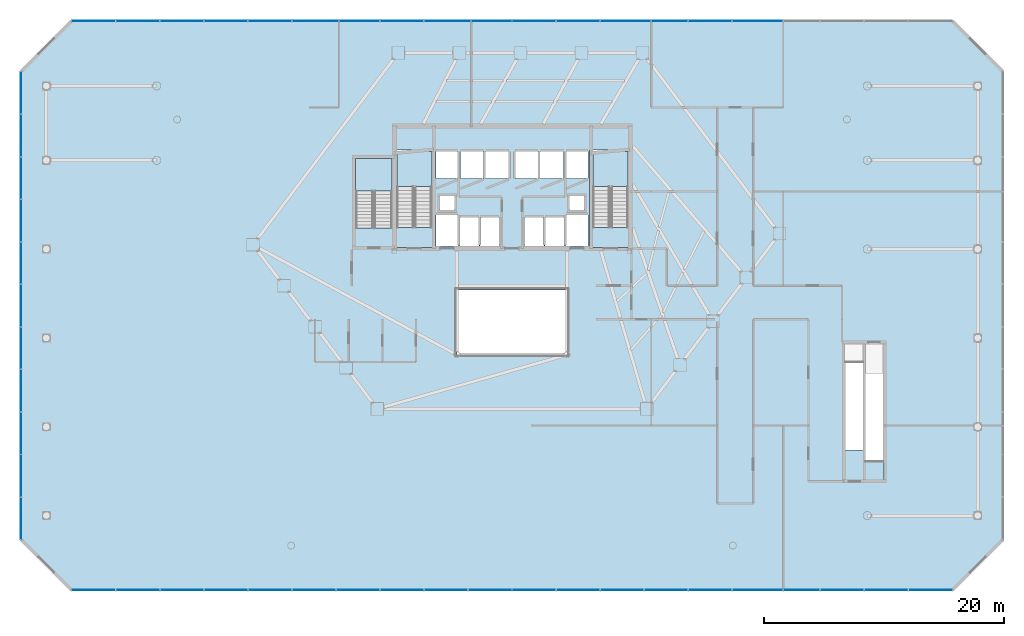
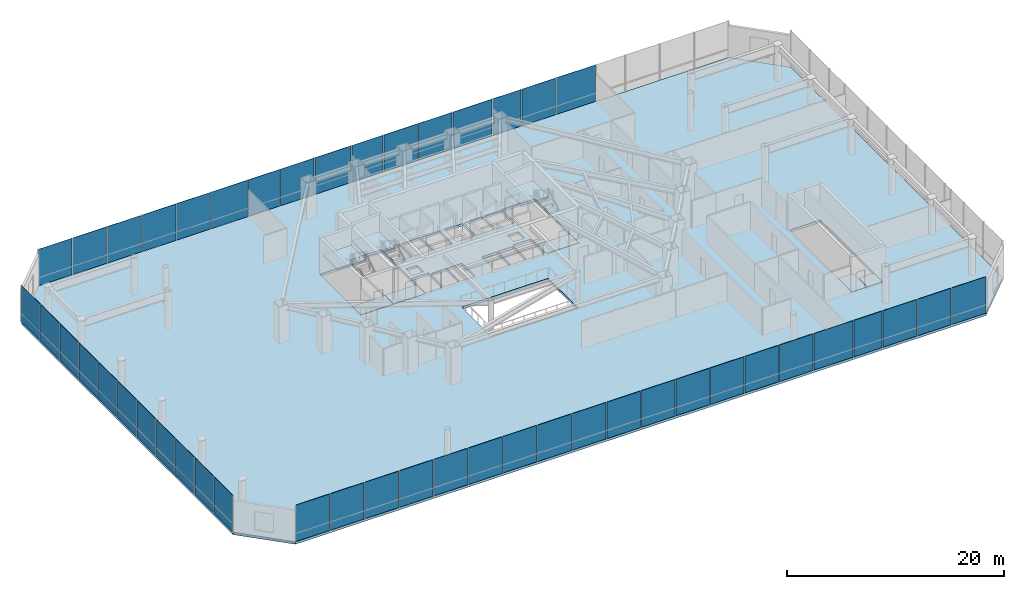
# One storey, part 36 of 43: 47 plates, 9 slabs, 6 elements without a shape of their own.
"""IFC4 building model written with IfcOpenShell, lengths in metres."""

from ifc_helpers import new_model, si_unit, direction, frame, origin, origin_2d, place, context, subcontext, project, spatial, polyline, rectangle, outline, extrude, material, layer, layer_set, type_object, element, aggregate, save


model = new_model("IFC4")

# Units and contexts
model_context = context("Model", 3, precision=1e-05, world=origin(), true_north=direction((0.0, 1.0)))
body_context = subcontext(model_context, "Body", "Model", "MODEL_VIEW")
ifc_project = project(units=[si_unit("LENGTHUNIT", "METRE"), si_unit("AREAUNIT", "SQUARE_METRE"), si_unit("VOLUMEUNIT", "CUBIC_METRE"), si_unit("PLANEANGLEUNIT", "RADIAN"), si_unit("MASSUNIT", "GRAM", prefix="KILO")], contexts=[model_context])

# Site, building, storey
site_placement = place(None, origin())
site = spatial("IfcSite", under=ifc_project, at=site_placement, CompositionType="ELEMENT")
building_placement = place(site_placement, origin())
building = spatial("IfcBuilding", under=site, at=building_placement, Name="Zarrinselat Tower", CompositionType="ELEMENT")
storey_placement = place(building_placement, frame((0.0, 0.0, 5.10009765625)))
storey = spatial("IfcBuildingStorey", under=building, at=storey_placement, Name="L01", CompositionType="ELEMENT", Elevation=5.10009765625)

# Curtain wall, plates
ifc_material_1 = material(Name="Extruded Aluminium Alloy EN AW-6063 T6", Category="aluminium")
ifc_layer_1 = layer(ifc_material_1, 0.2099609375)
ifc_layer_set_1 = layer_set([ifc_layer_1], Name="Extruded Aluminium Alloy EN AW-6063 T6")
curtain_wall_type = type_object("IfcCurtainWallType", Name="CWS-POD", PredefinedType="NOTDEFINED", material=ifc_layer_set_1)
curtain_wall_1_placement = place(storey_placement, origin())
curtain_wall_1 = element("IfcCurtainWall", 1, at=curtain_wall_1_placement, inside=storey, type_object=curtain_wall_type, Name="L01 Unitised Curtain Wall CW-L01-F1", PredefinedType="NOTDEFINED")
ifc_material_2 = material(Name="Double Low-E Laminated Solar Glass", Category="glass")
ifc_layer_2 = layer(ifc_material_2, 0.035888671875)
ifc_layer_set_2 = layer_set([ifc_layer_2], Name="Double Low-E Laminated Solar Glass")
plate_type = type_object("IfcPlateType", Name="PLT-CW-GL36", PredefinedType="CURTAIN_PANEL", material=ifc_layer_set_2)
plate_1_placement = place(storey_placement, frame((3.534912109375, 4.800048828125, 0.019775390625), z_axis=(0.0, 0.0, 1.0), x_axis=(1.0, 0.0, 0.0)))
plate_1 = element("IfcPlate", 2, at=plate_1_placement, type_object=plate_type, Name="CW-L01-F1 Vision Glass Panel 1", PredefinedType="CURTAIN_PANEL", context=body_context, shape_type="SweptSolid", body=[
    extrude(rectangle(XDim=3.570068359375, YDim=0.035888671875, at=origin_2d()), origin(), (0.0, 0.0, 1.0), 4.10009765625),
])
plate_2_placement = place(storey_placement, frame((7.205078125, 4.800048828125, 0.019775390625), z_axis=(0.0, 0.0, 1.0), x_axis=(1.0, 0.0, 0.0)))
plate_2 = element("IfcPlate", 3, at=plate_2_placement, type_object=plate_type, Name="CW-L01-F1 Vision Glass Panel 2", PredefinedType="CURTAIN_PANEL", context=body_context, shape_type="SweptSolid", body=[
    extrude(rectangle(XDim=3.570068359375, YDim=0.035888671875, at=origin_2d()), origin(), (0.0, 0.0, 1.0), 4.10009765625),
])
plate_3_placement = place(storey_placement, frame((10.875, 4.800048828125, 0.019775390625), z_axis=(0.0, 0.0, 1.0), x_axis=(1.0, 0.0, 0.0)))
plate_3 = element("IfcPlate", 4, at=plate_3_placement, type_object=plate_type, Name="CW-L01-F1 Vision Glass Panel 3", PredefinedType="CURTAIN_PANEL", context=body_context, shape_type="SweptSolid", body=[
    extrude(rectangle(XDim=3.570068359375, YDim=0.035888671875, at=origin_2d()), origin(), (0.0, 0.0, 1.0), 4.10009765625),
])
plate_4_placement = place(storey_placement, frame((14.544921875, 4.800048828125, 0.019775390625), z_axis=(0.0, 0.0, 1.0), x_axis=(1.0, 0.0, 0.0)))
plate_4 = element("IfcPlate", 5, at=plate_4_placement, type_object=plate_type, Name="CW-L01-F1 Vision Glass Panel 4", PredefinedType="CURTAIN_PANEL", context=body_context, shape_type="SweptSolid", body=[
    extrude(rectangle(XDim=3.570068359375, YDim=0.035888671875, at=origin_2d()), origin(), (0.0, 0.0, 1.0), 4.10009765625),
])
plate_5_placement = place(storey_placement, frame((18.215087890625, 4.800048828125, 0.019775390625), z_axis=(0.0, 0.0, 1.0), x_axis=(1.0, 0.0, 0.0)))
plate_5 = element("IfcPlate", 6, at=plate_5_placement, type_object=plate_type, Name="CW-L01-F1 Vision Glass Panel 5", PredefinedType="CURTAIN_PANEL", context=body_context, shape_type="SweptSolid", body=[
    extrude(rectangle(XDim=3.570068359375, YDim=0.035888671875, at=origin_2d()), origin(), (0.0, 0.0, 1.0), 4.10009765625),
])
plate_6_placement = place(storey_placement, frame((21.885009765625, 4.800048828125, 0.019775390625), z_axis=(0.0, 0.0, 1.0), x_axis=(1.0, 0.0, 0.0)))
plate_6 = element("IfcPlate", 7, at=plate_6_placement, type_object=plate_type, Name="CW-L01-F1 Vision Glass Panel 6", PredefinedType="CURTAIN_PANEL", context=body_context, shape_type="SweptSolid", body=[
    extrude(rectangle(XDim=3.570068359375, YDim=0.035888671875, at=origin_2d()), origin(), (0.0, 0.0, 1.0), 4.10009765625),
])
plate_7_placement = place(storey_placement, frame((25.554931640625, 4.800048828125, 0.019775390625), z_axis=(0.0, 0.0, 1.0), x_axis=(1.0, 0.0, 0.0)))
plate_7 = element("IfcPlate", 8, at=plate_7_placement, type_object=plate_type, Name="CW-L01-F1 Vision Glass Panel 7", PredefinedType="CURTAIN_PANEL", context=body_context, shape_type="SweptSolid", body=[
    extrude(rectangle(XDim=3.570068359375, YDim=0.035888671875, at=origin_2d()), origin(), (0.0, 0.0, 1.0), 4.10009765625),
])
plate_8_placement = place(storey_placement, frame((29.22509765625, 4.800048828125, 0.019775390625), z_axis=(0.0, 0.0, 1.0), x_axis=(1.0, 0.0, 0.0)))
plate_8 = element("IfcPlate", 9, at=plate_8_placement, type_object=plate_type, Name="CW-L01-F1 Vision Glass Panel 8", PredefinedType="CURTAIN_PANEL", context=body_context, shape_type="SweptSolid", body=[
    extrude(rectangle(XDim=3.570068359375, YDim=0.035888671875, at=origin_2d()), origin(), (0.0, 0.0, 1.0), 4.10009765625),
])
plate_9_placement = place(storey_placement, frame((32.89501953125, 4.800048828125, 0.019775390625), z_axis=(0.0, 0.0, 1.0), x_axis=(1.0, 0.0, 0.0)))
plate_9 = element("IfcPlate", 10, at=plate_9_placement, type_object=plate_type, Name="CW-L01-F1 Vision Glass Panel 9", PredefinedType="CURTAIN_PANEL", context=body_context, shape_type="SweptSolid", body=[
    extrude(rectangle(XDim=3.570068359375, YDim=0.035888671875, at=origin_2d()), origin(), (0.0, 0.0, 1.0), 4.10009765625),
])
plate_10_placement = place(storey_placement, frame((36.56494140625, 4.800048828125, 0.019775390625), z_axis=(0.0, 0.0, 1.0), x_axis=(1.0, 0.0, 0.0)))
plate_10 = element("IfcPlate", 11, at=plate_10_placement, type_object=plate_type, Name="CW-L01-F1 Vision Glass Panel 10", PredefinedType="CURTAIN_PANEL", context=body_context, shape_type="SweptSolid", body=[
    extrude(rectangle(XDim=3.570068359375, YDim=0.035888671875, at=origin_2d()), origin(), (0.0, 0.0, 1.0), 4.10009765625),
])
plate_11_placement = place(storey_placement, frame((40.235107421875, 4.800048828125, 0.019775390625), z_axis=(0.0, 0.0, 1.0), x_axis=(1.0, 0.0, 0.0)))
plate_11 = element("IfcPlate", 12, at=plate_11_placement, type_object=plate_type, Name="CW-L01-F1 Vision Glass Panel 11", PredefinedType="CURTAIN_PANEL", context=body_context, shape_type="SweptSolid", body=[
    extrude(rectangle(XDim=3.570068359375, YDim=0.035888671875, at=origin_2d()), origin(), (0.0, 0.0, 1.0), 4.10009765625),
])
plate_12_placement = place(storey_placement, frame((43.905029296875, 4.800048828125, 0.019775390625), z_axis=(0.0, 0.0, 1.0), x_axis=(1.0, 0.0, 0.0)))
plate_12 = element("IfcPlate", 13, at=plate_12_placement, type_object=plate_type, Name="CW-L01-F1 Vision Glass Panel 12", PredefinedType="CURTAIN_PANEL", context=body_context, shape_type="SweptSolid", body=[
    extrude(rectangle(XDim=3.570068359375, YDim=0.035888671875, at=origin_2d()), origin(), (0.0, 0.0, 1.0), 4.10009765625),
])
plate_13_placement = place(storey_placement, frame((47.574951171875, 4.800048828125, 0.019775390625), z_axis=(0.0, 0.0, 1.0), x_axis=(1.0, 0.0, 0.0)))
plate_13 = element("IfcPlate", 14, at=plate_13_placement, type_object=plate_type, Name="CW-L01-F1 Vision Glass Panel 13", PredefinedType="CURTAIN_PANEL", context=body_context, shape_type="SweptSolid", body=[
    extrude(rectangle(XDim=3.570068359375, YDim=0.035888671875, at=origin_2d()), origin(), (0.0, 0.0, 1.0), 4.10009765625),
])
plate_14_placement = place(storey_placement, frame((51.2451171875, 4.800048828125, 0.019775390625), z_axis=(0.0, 0.0, 1.0), x_axis=(1.0, 0.0, 0.0)))
plate_14 = element("IfcPlate", 15, at=plate_14_placement, type_object=plate_type, Name="CW-L01-F1 Vision Glass Panel 14", PredefinedType="CURTAIN_PANEL", context=body_context, shape_type="SweptSolid", body=[
    extrude(rectangle(XDim=3.570068359375, YDim=0.035888671875, at=origin_2d()), origin(), (0.0, 0.0, 1.0), 4.10009765625),
])
plate_15_placement = place(storey_placement, frame((54.9150390625, 4.800048828125, 0.019775390625), z_axis=(0.0, 0.0, 1.0), x_axis=(1.0, 0.0, 0.0)))
plate_15 = element("IfcPlate", 16, at=plate_15_placement, type_object=plate_type, Name="CW-L01-F1 Vision Glass Panel 15", PredefinedType="CURTAIN_PANEL", context=body_context, shape_type="SweptSolid", body=[
    extrude(rectangle(XDim=3.570068359375, YDim=0.035888671875, at=origin_2d()), origin(), (0.0, 0.0, 1.0), 4.10009765625),
])
plate_16_placement = place(storey_placement, frame((58.875, 4.800048828125, 0.019775390625), z_axis=(0.0, 0.0, 1.0), x_axis=(1.0, 0.0, 0.0)))
plate_16 = element("IfcPlate", 17, at=plate_16_placement, type_object=plate_type, Name="CW-L01-F1 Vision Glass Panel 16", PredefinedType="CURTAIN_PANEL", context=body_context, shape_type="SweptSolid", body=[
    extrude(rectangle(XDim=4.14990234375, YDim=0.035888671875, at=origin_2d()), origin(), (0.0, 0.0, 1.0), 4.10009765625),
])
plate_17_placement = place(storey_placement, frame((62.544921875, 4.800048828125, 0.019775390625), z_axis=(0.0, 0.0, 1.0), x_axis=(1.0, 0.0, 0.0)))
plate_17 = element("IfcPlate", 18, at=plate_17_placement, type_object=plate_type, Name="CW-L01-F1 Vision Glass Panel 17", PredefinedType="CURTAIN_PANEL", context=body_context, shape_type="SweptSolid", body=[
    extrude(rectangle(XDim=2.989990234375, YDim=0.035888671875, at=origin_2d()), origin(), (0.0, 0.0, 1.0), 4.10009765625),
])
plate_18_placement = place(storey_placement, frame((65.925048828125, 4.800048828125, 0.019775390625), z_axis=(0.0, 0.0, 1.0), x_axis=(1.0, 0.0, 0.0)))
plate_18 = element("IfcPlate", 19, at=plate_18_placement, type_object=plate_type, Name="CW-L01-F1 Vision Glass Panel 18", PredefinedType="CURTAIN_PANEL", context=body_context, shape_type="SweptSolid", body=[
    extrude(rectangle(XDim=3.570068359375, YDim=0.035888671875, at=origin_2d()), origin(), (0.0, 0.0, 1.0), 4.10009765625),
])
plate_19_placement = place(storey_placement, frame((69.594970703125, 4.800048828125, 0.019775390625), z_axis=(0.0, 0.0, 1.0), x_axis=(1.0, 0.0, 0.0)))
plate_19 = element("IfcPlate", 20, at=plate_19_placement, type_object=plate_type, Name="CW-L01-F1 Vision Glass Panel 19", PredefinedType="CURTAIN_PANEL", context=body_context, shape_type="SweptSolid", body=[
    extrude(rectangle(XDim=3.570068359375, YDim=0.035888671875, at=origin_2d()), origin(), (0.0, 0.0, 1.0), 4.10009765625),
])
plate_20_placement = place(storey_placement, frame((73.264892578125, 4.800048828125, 0.019775390625), z_axis=(0.0, 0.0, 1.0), x_axis=(1.0, 0.0, 0.0)))
plate_20 = element("IfcPlate", 21, at=plate_20_placement, type_object=plate_type, Name="CW-L01-F1 Vision Glass Panel 20", PredefinedType="CURTAIN_PANEL", context=body_context, shape_type="SweptSolid", body=[
    extrude(rectangle(XDim=3.570068359375, YDim=0.035888671875, at=origin_2d()), origin(), (0.0, 0.0, 1.0), 4.10009765625),
])
aggregate(curtain_wall_1, [plate_1, plate_2, plate_3, plate_4, plate_5, plate_6, plate_7, plate_8, plate_9, plate_10, plate_11, plate_12, plate_13, plate_14, plate_15, plate_16, plate_17, plate_18, plate_19, plate_20])

curtain_wall_2_placement = place(storey_placement, origin())
curtain_wall_2 = element("IfcCurtainWall", 22, at=curtain_wall_2_placement, inside=storey, type_object=curtain_wall_type, Name="L01 Unitised Curtain Wall CW-L01-F5", PredefinedType="NOTDEFINED")
plate_21_placement = place(storey_placement, frame((58.875, 52.199951171875, 0.019775390625), z_axis=(0.0, 0.0, 1.0), x_axis=(-1.0, 0.0, 0.0)))
plate_21 = element("IfcPlate", 23, at=plate_21_placement, type_object=plate_type, Name="CW-L01-F5 Vision Glass Panel 5", PredefinedType="CURTAIN_PANEL", context=body_context, shape_type="SweptSolid", body=[
    extrude(rectangle(XDim=4.14990234375, YDim=0.035888671875, at=origin_2d()), origin(), (0.0, 0.0, 1.0), 4.10009765625),
])
plate_22_placement = place(storey_placement, frame((54.9150390625, 52.199951171875, 0.019775390625), z_axis=(0.0, 0.0, 1.0), x_axis=(-1.0, 0.0, 0.0)))
plate_22 = element("IfcPlate", 24, at=plate_22_placement, type_object=plate_type, Name="CW-L01-F5 Vision Glass Panel 6", PredefinedType="CURTAIN_PANEL", context=body_context, shape_type="SweptSolid", body=[
    extrude(rectangle(XDim=3.570068359375, YDim=0.035888671875, at=origin_2d()), origin(), (0.0, 0.0, 1.0), 4.10009765625),
])
plate_23_placement = place(storey_placement, frame((51.5400390625, 52.199951171875, 0.019775390625), z_axis=(0.0, 0.0, 1.0), x_axis=(-1.0, 0.0, 0.0)))
plate_23 = element("IfcPlate", 25, at=plate_23_placement, type_object=plate_type, Name="CW-L01-F5 Vision Glass Panel 7", PredefinedType="CURTAIN_PANEL", context=body_context, shape_type="SweptSolid", body=[
    extrude(rectangle(XDim=2.97998046875, YDim=0.035888671875, at=origin_2d()), origin(), (0.0, 0.0, 1.0), 4.10009765625),
])
plate_24_placement = place(storey_placement, frame((47.8701171875, 52.199951171875, 0.019775390625), z_axis=(0.0, 0.0, 1.0), x_axis=(-1.0, 0.0, 0.0)))
plate_24 = element("IfcPlate", 26, at=plate_24_placement, type_object=plate_type, Name="CW-L01-F5 Vision Glass Panel 8", PredefinedType="CURTAIN_PANEL", context=body_context, shape_type="SweptSolid", body=[
    extrude(rectangle(XDim=4.159912109375, YDim=0.035888671875, at=origin_2d()), origin(), (0.0, 0.0, 1.0), 4.10009765625),
])
plate_25_placement = place(storey_placement, frame((43.905029296875, 52.199951171875, 0.019775390625), z_axis=(0.0, 0.0, 1.0), x_axis=(-1.0, 0.0, 0.0)))
plate_25 = element("IfcPlate", 27, at=plate_25_placement, type_object=plate_type, Name="CW-L01-F5 Vision Glass Panel 9", PredefinedType="CURTAIN_PANEL", context=body_context, shape_type="SweptSolid", body=[
    extrude(rectangle(XDim=3.570068359375, YDim=0.035888671875, at=origin_2d()), origin(), (0.0, 0.0, 1.0), 4.10009765625),
])
plate_26_placement = place(storey_placement, frame((40.235107421875, 52.199951171875, 0.019775390625), z_axis=(0.0, 0.0, 1.0), x_axis=(-1.0, 0.0, 0.0)))
plate_26 = element("IfcPlate", 28, at=plate_26_placement, type_object=plate_type, Name="CW-L01-F5 Vision Glass Panel 10", PredefinedType="CURTAIN_PANEL", context=body_context, shape_type="SweptSolid", body=[
    extrude(rectangle(XDim=3.570068359375, YDim=0.035888671875, at=origin_2d()), origin(), (0.0, 0.0, 1.0), 4.10009765625),
])
plate_27_placement = place(storey_placement, frame((36.699951171875, 52.199951171875, 0.019775390625), z_axis=(0.0, 0.0, 1.0), x_axis=(-1.0, 0.0, 0.0)))
plate_27 = element("IfcPlate", 29, at=plate_27_placement, type_object=plate_type, Name="CW-L01-F5 Vision Glass Panel 11", PredefinedType="CURTAIN_PANEL", context=body_context, shape_type="SweptSolid", body=[
    extrude(rectangle(XDim=3.300048828125, YDim=0.035888671875, at=origin_2d()), origin(), (0.0, 0.0, 1.0), 4.10009765625),
])
plate_28_placement = place(storey_placement, frame((33.030029296875, 52.199951171875, 0.019775390625), z_axis=(0.0, 0.0, 1.0), x_axis=(-1.0, 0.0, 0.0)))
plate_28 = element("IfcPlate", 30, at=plate_28_placement, type_object=plate_type, Name="CW-L01-F5 Vision Glass Panel 12", PredefinedType="CURTAIN_PANEL", context=body_context, shape_type="SweptSolid", body=[
    extrude(rectangle(XDim=3.840087890625, YDim=0.035888671875, at=origin_2d()), origin(), (0.0, 0.0, 1.0), 4.10009765625),
])
plate_29_placement = place(storey_placement, frame((29.22509765625, 52.199951171875, 0.019775390625), z_axis=(0.0, 0.0, 1.0), x_axis=(-1.0, 0.0, 0.0)))
plate_29 = element("IfcPlate", 31, at=plate_29_placement, type_object=plate_type, Name="CW-L01-F5 Vision Glass Panel 13", PredefinedType="CURTAIN_PANEL", context=body_context, shape_type="SweptSolid", body=[
    extrude(rectangle(XDim=3.570068359375, YDim=0.035888671875, at=origin_2d()), origin(), (0.0, 0.0, 1.0), 4.10009765625),
])
plate_30_placement = place(storey_placement, frame((25.695068359375, 52.199951171875, 0.019775390625), z_axis=(0.0, 0.0, 1.0), x_axis=(-1.0, 0.0, 0.0)))
plate_30 = element("IfcPlate", 32, at=plate_30_placement, type_object=plate_type, Name="CW-L01-F5 Vision Glass Panel 14", PredefinedType="CURTAIN_PANEL", context=body_context, shape_type="SweptSolid", body=[
    extrude(rectangle(XDim=3.2900390625, YDim=0.035888671875, at=origin_2d()), origin(), (0.0, 0.0, 1.0), 4.10009765625),
])
plate_31_placement = place(storey_placement, frame((22.02490234375, 52.199951171875, 0.019775390625), z_axis=(0.0, 0.0, 1.0), x_axis=(-1.0, 0.0, 0.0)))
plate_31 = element("IfcPlate", 33, at=plate_31_placement, type_object=plate_type, Name="CW-L01-F5 Vision Glass Panel 15", PredefinedType="CURTAIN_PANEL", context=body_context, shape_type="SweptSolid", body=[
    extrude(rectangle(XDim=3.85009765625, YDim=0.035888671875, at=origin_2d()), origin(), (0.0, 0.0, 1.0), 4.10009765625),
])
plate_32_placement = place(storey_placement, frame((18.215087890625, 52.199951171875, 0.019775390625), z_axis=(0.0, 0.0, 1.0), x_axis=(-1.0, 0.0, 0.0)))
plate_32 = element("IfcPlate", 34, at=plate_32_placement, type_object=plate_type, Name="CW-L01-F5 Vision Glass Panel 16", PredefinedType="CURTAIN_PANEL", context=body_context, shape_type="SweptSolid", body=[
    extrude(rectangle(XDim=3.570068359375, YDim=0.035888671875, at=origin_2d()), origin(), (0.0, 0.0, 1.0), 4.10009765625),
])
plate_33_placement = place(storey_placement, frame((14.544921875, 52.199951171875, 0.019775390625), z_axis=(0.0, 0.0, 1.0), x_axis=(-1.0, 0.0, 0.0)))
plate_33 = element("IfcPlate", 35, at=plate_33_placement, type_object=plate_type, Name="CW-L01-F5 Vision Glass Panel 17", PredefinedType="CURTAIN_PANEL", context=body_context, shape_type="SweptSolid", body=[
    extrude(rectangle(XDim=3.570068359375, YDim=0.035888671875, at=origin_2d()), origin(), (0.0, 0.0, 1.0), 4.10009765625),
])
plate_34_placement = place(storey_placement, frame((10.875, 52.199951171875, 0.019775390625), z_axis=(0.0, 0.0, 1.0), x_axis=(-1.0, 0.0, 0.0)))
plate_34 = element("IfcPlate", 36, at=plate_34_placement, type_object=plate_type, Name="CW-L01-F5 Vision Glass Panel 18", PredefinedType="CURTAIN_PANEL", context=body_context, shape_type="SweptSolid", body=[
    extrude(rectangle(XDim=3.570068359375, YDim=0.035888671875, at=origin_2d()), origin(), (0.0, 0.0, 1.0), 4.10009765625),
])
plate_35_placement = place(storey_placement, frame((7.205078125, 52.199951171875, 0.019775390625), z_axis=(0.0, 0.0, 1.0), x_axis=(-1.0, 0.0, 0.0)))
plate_35 = element("IfcPlate", 37, at=plate_35_placement, type_object=plate_type, Name="CW-L01-F5 Vision Glass Panel 19", PredefinedType="CURTAIN_PANEL", context=body_context, shape_type="SweptSolid", body=[
    extrude(rectangle(XDim=3.570068359375, YDim=0.035888671875, at=origin_2d()), origin(), (0.0, 0.0, 1.0), 4.10009765625),
])
plate_36_placement = place(storey_placement, frame((3.534912109375, 52.199951171875, 0.019775390625), z_axis=(0.0, 0.0, 1.0), x_axis=(-1.0, 0.0, 0.0)))
plate_36 = element("IfcPlate", 38, at=plate_36_placement, type_object=plate_type, Name="CW-L01-F5 Vision Glass Panel 20", PredefinedType="CURTAIN_PANEL", context=body_context, shape_type="SweptSolid", body=[
    extrude(rectangle(XDim=3.570068359375, YDim=0.035888671875, at=origin_2d()), origin(), (0.0, 0.0, 1.0), 4.10009765625),
])
aggregate(curtain_wall_2, [plate_21, plate_22, plate_23, plate_24, plate_25, plate_26, plate_27, plate_28, plate_29, plate_30, plate_31, plate_32, plate_33, plate_34, plate_35, plate_36])

curtain_wall_3_placement = place(storey_placement, origin())
curtain_wall_3 = element("IfcCurtainWall", 39, at=curtain_wall_3_placement, inside=storey, type_object=curtain_wall_type, Name="L01 Unitised Curtain Wall CW-L01-F7", PredefinedType="NOTDEFINED")
plate_37_placement = place(storey_placement, frame((-2.5, 46.227294921875, 0.019775390625), z_axis=(0.0, 0.0, 1.0), x_axis=(0.0, -1.0, 0.0)))
plate_37 = element("IfcPlate", 40, at=plate_37_placement, type_object=plate_type, Name="CW-L01-F7 Vision Glass Panel 1", PredefinedType="CURTAIN_PANEL", context=body_context, shape_type="SweptSolid", body=[
    extrude(rectangle(XDim=3.445556640625, YDim=0.035888671875, at=origin_2d()), origin(), (0.0, 0.0, 1.0), 4.10009765625),
])
plate_38_placement = place(storey_placement, frame((-2.5, 42.681884765625, 0.019775390625), z_axis=(0.0, 0.0, 1.0), x_axis=(0.0, -1.0, 0.0)))
plate_38 = element("IfcPlate", 41, at=plate_38_placement, type_object=plate_type, Name="CW-L01-F7 Vision Glass Panel 2", PredefinedType="CURTAIN_PANEL", context=body_context, shape_type="SweptSolid", body=[
    extrude(rectangle(XDim=3.445556640625, YDim=0.035888671875, at=origin_2d()), origin(), (0.0, 0.0, 1.0), 4.10009765625),
])
plate_39_placement = place(storey_placement, frame((-2.5, 39.136474609375, 0.019775390625), z_axis=(0.0, 0.0, 1.0), x_axis=(0.0, -1.0, 0.0)))
plate_39 = element("IfcPlate", 42, at=plate_39_placement, type_object=plate_type, Name="CW-L01-F7 Vision Glass Panel 3", PredefinedType="CURTAIN_PANEL", context=body_context, shape_type="SweptSolid", body=[
    extrude(rectangle(XDim=3.445556640625, YDim=0.035888671875, at=origin_2d()), origin(), (0.0, 0.0, 1.0), 4.10009765625),
])
plate_40_placement = place(storey_placement, frame((-2.5, 35.5908203125, 0.019775390625), z_axis=(0.0, 0.0, 1.0), x_axis=(0.0, -1.0, 0.0)))
plate_40 = element("IfcPlate", 43, at=plate_40_placement, type_object=plate_type, Name="CW-L01-F7 Vision Glass Panel 4", PredefinedType="CURTAIN_PANEL", context=body_context, shape_type="SweptSolid", body=[
    extrude(rectangle(XDim=3.445556640625, YDim=0.035888671875, at=origin_2d()), origin(), (0.0, 0.0, 1.0), 4.10009765625),
])
plate_41_placement = place(storey_placement, frame((-2.5, 32.04541015625, 0.019775390625), z_axis=(0.0, 0.0, 1.0), x_axis=(0.0, -1.0, 0.0)))
plate_41 = element("IfcPlate", 44, at=plate_41_placement, type_object=plate_type, Name="CW-L01-F7 Vision Glass Panel 5", PredefinedType="CURTAIN_PANEL", context=body_context, shape_type="SweptSolid", body=[
    extrude(rectangle(XDim=3.445556640625, YDim=0.035888671875, at=origin_2d()), origin(), (0.0, 0.0, 1.0), 4.10009765625),
])
plate_42_placement = place(storey_placement, frame((-2.5, 28.5, 0.019775390625), z_axis=(0.0, 0.0, 1.0), x_axis=(0.0, -1.0, 0.0)))
plate_42 = element("IfcPlate", 45, at=plate_42_placement, type_object=plate_type, Name="CW-L01-F7 Vision Glass Panel 6", PredefinedType="CURTAIN_PANEL", context=body_context, shape_type="SweptSolid", body=[
    extrude(rectangle(XDim=3.445556640625, YDim=0.035888671875, at=origin_2d()), origin(), (0.0, 0.0, 1.0), 4.10009765625),
])
plate_43_placement = place(storey_placement, frame((-2.5, 24.95458984375, 0.019775390625), z_axis=(0.0, 0.0, 1.0), x_axis=(0.0, -1.0, 0.0)))
plate_43 = element("IfcPlate", 46, at=plate_43_placement, type_object=plate_type, Name="CW-L01-F7 Vision Glass Panel 7", PredefinedType="CURTAIN_PANEL", context=body_context, shape_type="SweptSolid", body=[
    extrude(rectangle(XDim=3.445556640625, YDim=0.035888671875, at=origin_2d()), origin(), (0.0, 0.0, 1.0), 4.10009765625),
])
plate_44_placement = place(storey_placement, frame((-2.5, 21.4091796875, 0.019775390625), z_axis=(0.0, 0.0, 1.0), x_axis=(0.0, -1.0, 0.0)))
plate_44 = element("IfcPlate", 47, at=plate_44_placement, type_object=plate_type, Name="CW-L01-F7 Vision Glass Panel 8", PredefinedType="CURTAIN_PANEL", context=body_context, shape_type="SweptSolid", body=[
    extrude(rectangle(XDim=3.445556640625, YDim=0.035888671875, at=origin_2d()), origin(), (0.0, 0.0, 1.0), 4.10009765625),
])
plate_45_placement = place(storey_placement, frame((-2.5, 17.863525390625, 0.019775390625), z_axis=(0.0, 0.0, 1.0), x_axis=(0.0, -1.0, 0.0)))
plate_45 = element("IfcPlate", 48, at=plate_45_placement, type_object=plate_type, Name="CW-L01-F7 Vision Glass Panel 9", PredefinedType="CURTAIN_PANEL", context=body_context, shape_type="SweptSolid", body=[
    extrude(rectangle(XDim=3.445556640625, YDim=0.035888671875, at=origin_2d()), origin(), (0.0, 0.0, 1.0), 4.10009765625),
])
plate_46_placement = place(storey_placement, frame((-2.5, 14.318115234375, 0.019775390625), z_axis=(0.0, 0.0, 1.0), x_axis=(0.0, -1.0, 0.0)))
plate_46 = element("IfcPlate", 49, at=plate_46_placement, type_object=plate_type, Name="CW-L01-F7 Vision Glass Panel 10", PredefinedType="CURTAIN_PANEL", context=body_context, shape_type="SweptSolid", body=[
    extrude(rectangle(XDim=3.445556640625, YDim=0.035888671875, at=origin_2d()), origin(), (0.0, 0.0, 1.0), 4.10009765625),
])
plate_47_placement = place(storey_placement, frame((-2.5, 10.772705078125, 0.019775390625), z_axis=(0.0, 0.0, 1.0), x_axis=(0.0, -1.0, 0.0)))
plate_47 = element("IfcPlate", 50, at=plate_47_placement, type_object=plate_type, Name="CW-L01-F7 Vision Glass Panel 11", PredefinedType="CURTAIN_PANEL", context=body_context, shape_type="SweptSolid", body=[
    extrude(rectangle(XDim=3.445556640625, YDim=0.035888671875, at=origin_2d()), origin(), (0.0, 0.0, 1.0), 4.10009765625),
])
aggregate(curtain_wall_3, [plate_37, plate_38, plate_39, plate_40, plate_41, plate_42, plate_43, plate_44, plate_45, plate_46, plate_47])

# Slabs
ifc_material_3 = material(Name="Concrete C40/50", Category="concrete")
ifc_layer_3 = layer(ifc_material_3, 0.280029296875)
ifc_layer_set_3 = layer_set([ifc_layer_3], Name="Concrete C40/50")
slab_type_1 = type_object("IfcSlabType", Name="SLB-FLOOR-280-SL-PD280", PredefinedType="FLOOR", material=ifc_layer_set_3)
slab_1_placement = place(storey_placement, frame((0.0, 0.0, -0.280029296875)))
element("IfcSlab", 51, at=slab_1_placement, inside=storey, type_object=slab_type_1, Name="L01 Primary Structural Slab", PredefinedType="FLOOR", context=body_context, shape_type="SweptSolid", body=[
    extrude(outline(polyline([(1.699951171875, 4.800048828125), (75.10009765625, 4.800048828125), (79.300048828125, 9.0), (79.300048828125, 48.0), (75.10009765625, 52.199951171875), (1.699951171875, 52.199951171875), (-2.5, 48.0), (-2.5, 9.0), (1.699951171875, 4.800048828125)]), holes=[polyline([(33.800048828125, 24.39990234375), (33.800048828125, 29.800048828125), (43.0, 29.800048828125), (43.0, 24.39990234375), (33.800048828125, 24.39990234375)]), polyline([(34.050048828125, 33.449951171875), (34.050048828125, 35.85009765625), (35.64990234375, 35.85009765625), (35.64990234375, 33.449951171875), (34.050048828125, 33.449951171875)]), polyline([(35.75, 33.449951171875), (35.75, 35.85009765625), (37.35009765625, 35.85009765625), (37.35009765625, 33.449951171875), (35.75, 33.449951171875)]), polyline([(32.06005859375, 33.449951171875), (32.06005859375, 36.050048828125), (33.89990234375, 36.050048828125), (33.89990234375, 33.449951171875), (32.06005859375, 33.449951171875)]), polyline([(32.419921875, 36.47998046875), (32.419921875, 37.639892578125), (33.60009765625, 37.639892578125), (33.60009765625, 36.47998046875), (32.419921875, 36.47998046875)]), polyline([(28.594970703125, 33.324951171875), (25.114990234375, 33.324951171875), (25.114990234375, 40.875), (28.594970703125, 40.875), (28.594970703125, 33.324951171875)]), polyline([(31.985107421875, 33.324951171875), (28.60498046875, 33.324951171875), (28.60498046875, 41.47509765625), (31.985107421875, 41.47509765625), (31.985107421875, 33.324951171875)]), polyline([(32.06005859375, 41.35009765625), (33.89990234375, 41.35009765625), (33.89990234375, 39.10009765625), (32.06005859375, 39.10009765625), (32.06005859375, 41.35009765625)]), polyline([(34.10009765625, 41.35009765625), (36.050048828125, 41.35009765625), (36.050048828125, 39.10009765625), (34.10009765625, 39.10009765625), (34.10009765625, 41.35009765625)]), polyline([(36.199951171875, 39.10009765625), (36.199951171875, 41.35009765625), (38.14990234375, 41.35009765625), (38.14990234375, 39.10009765625), (36.199951171875, 39.10009765625)]), polyline([(69.385009765625, 13.9150390625), (66.114990234375, 13.9150390625), (66.114990234375, 25.385009765625), (69.385009765625, 25.385009765625), (69.385009765625, 13.9150390625)]), polyline([(39.449951171875, 33.449951171875), (39.449951171875, 35.85009765625), (41.050048828125, 35.85009765625), (41.050048828125, 33.449951171875), (39.449951171875, 33.449951171875)]), polyline([(41.14990234375, 35.85009765625), (42.75, 35.85009765625), (42.75, 33.449951171875), (41.14990234375, 33.449951171875), (41.14990234375, 35.85009765625)]), polyline([(42.89990234375, 36.050048828125), (44.739990234375, 36.050048828125), (44.739990234375, 33.449951171875), (42.89990234375, 33.449951171875), (42.89990234375, 36.050048828125)]), polyline([(43.199951171875, 36.47998046875), (43.199951171875, 37.639892578125), (44.3798828125, 37.639892578125), (44.3798828125, 36.47998046875), (43.199951171875, 36.47998046875)]), polyline([(48.324951171875, 33.324951171875), (44.875, 33.324951171875), (44.875, 41.47509765625), (48.324951171875, 41.47509765625), (48.324951171875, 33.324951171875)]), polyline([(38.64990234375, 39.10009765625), (38.64990234375, 41.35009765625), (40.60009765625, 41.35009765625), (40.60009765625, 39.10009765625), (38.64990234375, 39.10009765625)]), polyline([(40.75, 41.35009765625), (42.699951171875, 41.35009765625), (42.699951171875, 39.10009765625), (40.75, 39.10009765625), (40.75, 41.35009765625)]), polyline([(42.89990234375, 41.35009765625), (44.739990234375, 41.35009765625), (44.739990234375, 39.10009765625), (42.89990234375, 39.10009765625), (42.89990234375, 41.35009765625)])]), origin(), (0.0, 0.0, 1.0), 0.280029296875),
])
slab_2_placement = place(storey_placement, frame((0.0, 0.0, -0.280029296875)))
element("IfcSlab", 52, at=slab_2_placement, inside=storey, type_object=slab_type_1, Name="L01 Stair ST-1-FL1 Structural Floor Landing", PredefinedType="FLOOR", context=body_context, shape_type="SweptSolid", body=[
    extrude(outline(polyline([(31.97998046875, 33.330078125), (31.97998046875, 35.0), (28.610107421875, 35.0), (28.610107421875, 33.330078125), (31.97998046875, 33.330078125)])), origin(), (0.0, 0.0, 1.0), 0.280029296875),
])
slab_3_placement = place(storey_placement, frame((0.0, 0.0, -0.280029296875)))
element("IfcSlab", 53, at=slab_3_placement, inside=storey, type_object=slab_type_1, Name="L01 Stair ST-2-FL1 Structural Floor Landing", PredefinedType="FLOOR", context=body_context, shape_type="SweptSolid", body=[
    extrude(outline(polyline([(48.320068359375, 33.330078125), (48.320068359375, 35.0), (44.8798828125, 35.0), (44.8798828125, 33.330078125), (48.320068359375, 33.330078125)])), origin(), (0.0, 0.0, 1.0), 0.280029296875),
])
slab_4_placement = place(storey_placement, frame((0.0, 0.0, -0.280029296875)))
element("IfcSlab", 54, at=slab_4_placement, inside=storey, type_object=slab_type_1, Name="L01 Stair ST-3-FL1 Structural Floor Landing", PredefinedType="FLOOR", context=body_context, shape_type="SweptSolid", body=[
    extrude(outline(polyline([(28.590087890625, 33.330078125), (28.590087890625, 34.949951171875), (25.1201171875, 34.949951171875), (25.1201171875, 33.330078125), (28.590087890625, 33.330078125)])), origin(), (0.0, 0.0, 1.0), 0.280029296875),
])
slab_5_placement = place(storey_placement, frame((0.0, 0.0, -0.280029296875)))
element("IfcSlab", 55, at=slab_5_placement, inside=storey, type_object=slab_type_1, Name="L01 Stair ST-4-FL1 Structural Floor Landing", PredefinedType="FLOOR", context=body_context, shape_type="SweptSolid", body=[
    extrude(outline(polyline([(67.7099609375, 13.919921875), (67.7099609375, 16.469970703125), (66.1201171875, 16.469970703125), (66.1201171875, 13.919921875), (67.7099609375, 13.919921875)])), origin(), (0.0, 0.0, 1.0), 0.280029296875),
])
slab_6_placement = place(storey_placement, frame((0.0, 0.0, -0.280029296875)))
element("IfcSlab", 56, at=slab_6_placement, inside=storey, type_object=slab_type_1, Name="L01 Stair ST-4-FL2 Structural Floor Landing", PredefinedType="FLOOR", context=body_context, shape_type="SweptSolid", body=[
    extrude(outline(polyline([(69.3798828125, 13.919921875), (69.3798828125, 15.550048828125), (67.7900390625, 15.550048828125), (67.7900390625, 13.919921875), (69.3798828125, 13.919921875)])), origin(), (0.0, 0.0, 1.0), 0.280029296875),
])

# Stair, slab
ifc_material_4 = material(Name="Concrete C40/50", Category="concrete")
stair_type_1 = type_object("IfcStairType", Name="STR-CORE-145", PredefinedType="HALF_TURN_STAIR", material=ifc_material_4)
stair_1_placement = place(storey_placement, origin())
stair_1 = element("IfcStair", 57, at=stair_1_placement, inside=storey, type_object=stair_type_1, Name="L01 Podium & Mid-Tower Exit Stair 3", PredefinedType="HALF_TURN_STAIR")
ifc_material_5 = material(Name="Concrete C40/50", Category="concrete")
ifc_layer_4 = layer(ifc_material_5, 0.1650390625)
ifc_layer_set_4 = layer_set([ifc_layer_4], Name="Concrete C40/50")
slab_type_2 = type_object("IfcSlabType", Name="SLB-LND-165", PredefinedType="LANDING", material=ifc_layer_set_4)
slab_7_placement = place(storey_placement, frame((0.0, 0.0, 2.010009765625)))
slab_7 = element("IfcSlab", 58, at=slab_7_placement, type_object=slab_type_2, Name="ST-3 landing 1", PredefinedType="LANDING", context=body_context, shape_type="SweptSolid", body=[
    extrude(outline(polyline([(28.39990234375, 38.030029296875), (28.39990234375, 40.75), (25.3798828125, 40.75), (25.3798828125, 38.030029296875), (28.39990234375, 38.030029296875)])), origin(), (0.0, 0.0, 1.0), 0.199951171875),
])
aggregate(stair_1, [slab_7])

ifc_material_6 = material(Name="Concrete C40/50", Category="concrete")
stair_type_2 = type_object("IfcStairType", Name="STR-CORE-155", PredefinedType="HALF_TURN_STAIR", material=ifc_material_6)
stair_2_placement = place(storey_placement, origin())
stair_2 = element("IfcStair", 59, at=stair_2_placement, inside=storey, type_object=stair_type_2, Name="L01 Core Exit Stair 1", PredefinedType="HALF_TURN_STAIR")
ifc_material_7 = material(Name="Concrete C40/50", Category="concrete")
ifc_layer_5 = layer(ifc_material_7, 0.18994140625)
ifc_layer_set_5 = layer_set([ifc_layer_5], Name="Concrete C40/50")
slab_type_3 = type_object("IfcSlabType", Name="SLB-LND-190", PredefinedType="LANDING", material=ifc_layer_set_5)
slab_8_placement = place(storey_placement, frame((0.0, 0.0, 2.010009765625)))
slab_8 = element("IfcSlab", 60, at=slab_8_placement, type_object=slab_type_3, Name="ST-1 landing 1", PredefinedType="LANDING", context=body_context, shape_type="SweptSolid", body=[
    extrude(outline(polyline([(31.719970703125, 38.409912109375), (31.719970703125, 41.35009765625), (28.800048828125, 41.35009765625), (28.800048828125, 38.409912109375), (31.719970703125, 38.409912109375)])), origin(), (0.0, 0.0, 1.0), 0.199951171875),
])
aggregate(stair_2, [slab_8])

stair_3_placement = place(storey_placement, origin())
stair_3 = element("IfcStair", 61, at=stair_3_placement, inside=storey, type_object=stair_type_2, Name="L01 Core Exit Stair 2", PredefinedType="HALF_TURN_STAIR")
slab_9_placement = place(storey_placement, frame((0.0, 0.0, 2.010009765625)))
slab_9 = element("IfcSlab", 62, at=slab_9_placement, type_object=slab_type_3, Name="ST-2 landing 1", PredefinedType="LANDING", context=body_context, shape_type="SweptSolid", body=[
    extrude(outline(polyline([(48.06005859375, 38.409912109375), (48.06005859375, 41.35009765625), (45.139892578125, 41.35009765625), (45.139892578125, 38.409912109375), (48.06005859375, 38.409912109375)])), origin(), (0.0, 0.0, 1.0), 0.199951171875),
])
aggregate(stair_3, [slab_9])

save(model, "model.ifc")
